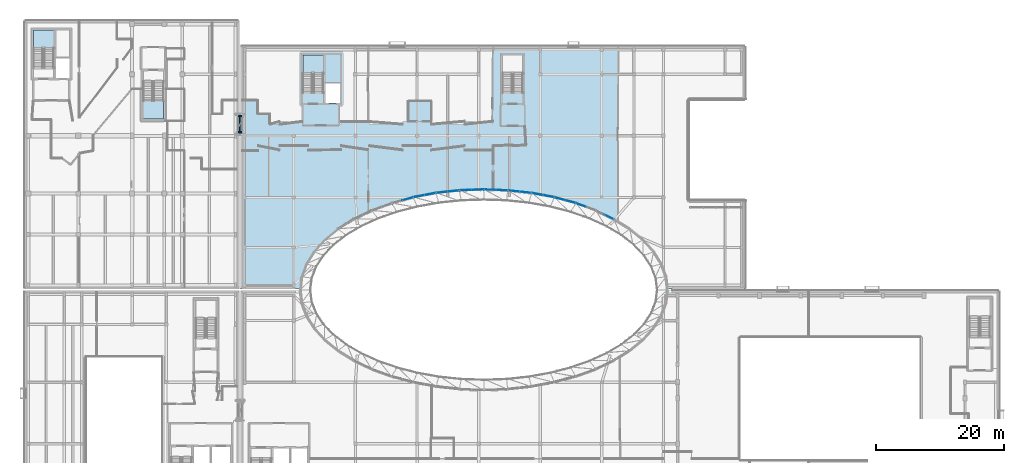
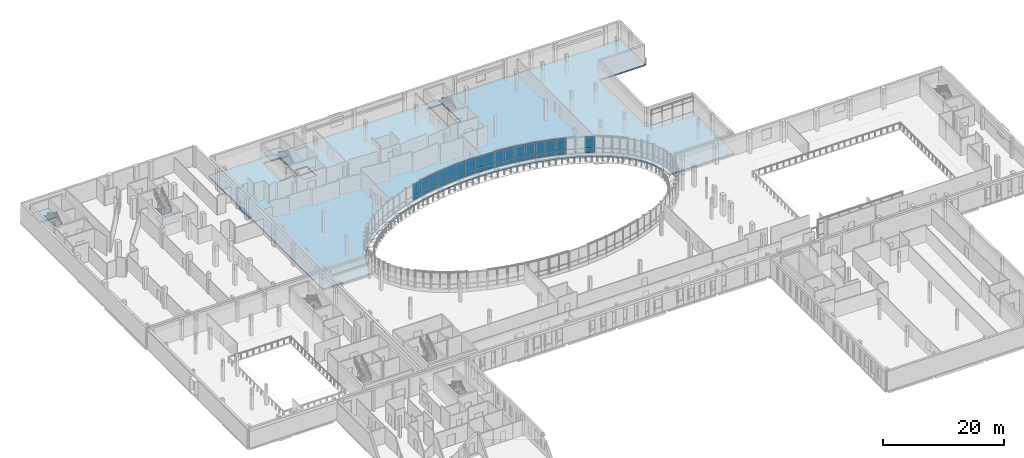
# One storey, part 35 of 84: 36 plates, 5 slabs, 13 elements without a shape of their own.
"""IFC4 building model written with IfcOpenShell, lengths in metres."""

from ifc_helpers import new_model, si_unit, direction, frame, origin, origin_2d, place, context, subcontext, project, spatial, polyline, rectangle, outline, extrude, material, layer, layer_set, type_object, element, aggregate, save


model = new_model("IFC4")

# Units and contexts
model_context = context("Model", 3, precision=1e-05, world=origin(), true_north=direction((0.0, 1.0)))
body_context = subcontext(model_context, "Body", "Model", "MODEL_VIEW")
ifc_project = project(units=[si_unit("LENGTHUNIT", "METRE"), si_unit("AREAUNIT", "SQUARE_METRE"), si_unit("VOLUMEUNIT", "CUBIC_METRE"), si_unit("PLANEANGLEUNIT", "RADIAN"), si_unit("MASSUNIT", "GRAM", prefix="KILO")], contexts=[model_context])

# Site, building, storey
site_placement = place(None, origin())
site = spatial("IfcSite", under=ifc_project, at=site_placement, CompositionType="ELEMENT")
building_placement = place(site_placement, origin())
building = spatial("IfcBuilding", under=site, at=building_placement, Name="Mzevani Central Library", CompositionType="ELEMENT")
storey_placement = place(building_placement, frame((0.0, 0.0, 5.39990234375)))
storey = spatial("IfcBuildingStorey", under=building, at=storey_placement, Name="L01", CompositionType="ELEMENT", Elevation=5.39990234375)

# Curtain wall, plate
ifc_material_1 = material(Name="Thermally broken aluminium and Low-E triple glazing", Category="aluminium")
curtain_wall_type_1 = type_object("IfcCurtainWallType", Name="Reading Hall Northlight Curtain Wall", PredefinedType="NOTDEFINED", material=ifc_material_1)
curtain_wall_1_placement = place(storey_placement, origin())
curtain_wall_1 = element("IfcCurtainWall", 1, at=curtain_wall_1_placement, inside=storey, type_object=curtain_wall_type_1, Name="L01 Elliptical Court Curtain Wall 7", PredefinedType="NOTDEFINED")
ifc_material_2 = material(Name="Thermally broken aluminium AW-6060", Category="aluminium")
ifc_layer_1 = layer(ifc_material_2, 0.0419921875, Name="CW Insulated Spandrel Panel 42")
ifc_layer_set_1 = layer_set([ifc_layer_1], Name="Thermally broken aluminium AW-6060")
plate_type_1 = type_object("IfcPlateType", Name="CW Insulated Spandrel Panel 42", PredefinedType="CURTAIN_PANEL", material=ifc_layer_set_1)
plate_1_placement = place(storey_placement, frame((103.570556640625, 87.34619140625, 0.72021484375), z_axis=(0.0, 0.0, 1.0), x_axis=(-0.902948631939, 0.429748493982, 0.0)))
plate_1 = element("IfcPlate", 2, at=plate_1_placement, type_object=plate_type_1, Name="L01 Elliptical Court Curtain Wall 7 Spandrel Panel 1", PredefinedType="CURTAIN_PANEL", context=body_context, shape_type="SweptSolid", body=[
    extrude(rectangle(XDim=1.546630859375, YDim=0.0419921875, at=origin_2d()), origin(), (0.0, 0.0, 1.0), 0.89990234375),
])

curtain_wall_type_2 = type_object("IfcCurtainWallType", Name="Elliptical Court Unitised Curtain Wall", PredefinedType="NOTDEFINED", material=ifc_material_1)
curtain_wall_2_placement = place(storey_placement, origin())
curtain_wall_2 = element("IfcCurtainWall", 3, at=curtain_wall_2_placement, inside=storey, type_object=curtain_wall_type_2, Name="L01 Elliptical Court Curtain Wall 8", PredefinedType="NOTDEFINED")
plate_2_placement = place(storey_placement, frame((99.14306640625, 89.2060546875, 0.72021484375), z_axis=(0.0, 0.0, 1.0), x_axis=(-0.940105611205, 0.340883322826, 0.0)))
plate_2 = element("IfcPlate", 4, at=plate_2_placement, type_object=plate_type_1, Name="L01 Elliptical Court Curtain Wall 8 Spandrel Panel 3", PredefinedType="CURTAIN_PANEL", context=body_context, shape_type="SweptSolid", body=[
    extrude(rectangle(XDim=1.642822265625, YDim=0.0419921875, at=origin_2d()), origin(), (0.0, 0.0, 1.0), 0.89990234375),
])

# Curtain wall, plates
curtain_wall_3_placement = place(storey_placement, origin())
curtain_wall_3 = element("IfcCurtainWall", 5, at=curtain_wall_3_placement, inside=storey, type_object=curtain_wall_type_2, Name="L01 Elliptical Court Curtain Wall 9", PredefinedType="NOTDEFINED")
plate_3_placement = place(storey_placement, frame((97.51513671875, 89.733154296875, 0.72021484375), z_axis=(0.0, 0.0, 1.0), x_axis=(-0.966009344959, 0.258507147775, 0.0)))
plate_3 = element("IfcPlate", 6, at=plate_3_placement, type_object=plate_type_1, Name="L01 Elliptical Court Curtain Wall 9 Spandrel Panel 1", PredefinedType="CURTAIN_PANEL", context=body_context, shape_type="SweptSolid", body=[
    extrude(rectangle(XDim=1.724609375, YDim=0.0419921875, at=origin_2d()), origin(), (0.0, 0.0, 1.0), 0.89990234375),
])
plate_4_placement = place(storey_placement, frame((95.84912109375, 90.178955078125, 0.72021484375), z_axis=(0.0, 0.0, 1.0), x_axis=(-0.966009344959, 0.258507147775, 0.0)))
plate_4 = element("IfcPlate", 7, at=plate_4_placement, type_object=plate_type_1, Name="L01 Elliptical Court Curtain Wall 9 Spandrel Panel 3", PredefinedType="CURTAIN_PANEL", context=body_context, shape_type="SweptSolid", body=[
    extrude(rectangle(XDim=1.724609375, YDim=0.0419921875, at=origin_2d()), origin(), (0.0, 0.0, 1.0), 0.89990234375),
])

curtain_wall_4_placement = place(storey_placement, origin())
curtain_wall_4 = element("IfcCurtainWall", 8, at=curtain_wall_4_placement, inside=storey, type_object=curtain_wall_type_1, Name="L01 Elliptical Court Curtain Wall 10", PredefinedType="NOTDEFINED")
plate_5_placement = place(storey_placement, frame((94.10546875, 90.587646484375, 0.72021484375), z_axis=(0.0, 0.0, 1.0), x_axis=(-0.983448999944, 0.181185166359, 0.0)))
plate_5 = element("IfcPlate", 9, at=plate_5_placement, type_object=plate_type_1, Name="L01 Elliptical Court Curtain Wall 10 Spandrel Panel 1", PredefinedType="CURTAIN_PANEL", context=body_context, shape_type="SweptSolid", body=[
    extrude(rectangle(XDim=1.78857421875, YDim=0.0419921875, at=origin_2d()), origin(), (0.0, 0.0, 1.0), 0.89990234375),
])
plate_6_placement = place(storey_placement, frame((92.346435546875, 90.91162109375, 0.72021484375), z_axis=(0.0, 0.0, 1.0), x_axis=(-0.983448999944, 0.181185166359, 0.0)))
plate_6 = element("IfcPlate", 10, at=plate_6_placement, type_object=plate_type_1, Name="L01 Elliptical Court Curtain Wall 10 Spandrel Panel 3", PredefinedType="CURTAIN_PANEL", context=body_context, shape_type="SweptSolid", body=[
    extrude(rectangle(XDim=1.78857421875, YDim=0.0419921875, at=origin_2d()), origin(), (0.0, 0.0, 1.0), 0.89990234375),
])

curtain_wall_5_placement = place(storey_placement, origin())
curtain_wall_5 = element("IfcCurtainWall", 11, at=curtain_wall_5_placement, inside=storey, type_object=curtain_wall_type_2, Name="L01 Elliptical Court Curtain Wall 11", PredefinedType="NOTDEFINED")
plate_7_placement = place(storey_placement, frame((90.515380859375, 91.192138671875, 0.72021484375), z_axis=(0.0, 0.0, 1.0), x_axis=(-0.99422424649, 0.107322633643, 0.0)))
plate_7 = element("IfcPlate", 12, at=plate_7_placement, type_object=plate_type_1, Name="L01 Elliptical Court Curtain Wall 11 Spandrel Panel 1", PredefinedType="CURTAIN_PANEL", context=body_context, shape_type="SweptSolid", body=[
    extrude(rectangle(XDim=1.832275390625, YDim=0.0419921875, at=origin_2d()), origin(), (0.0, 0.0, 1.0), 0.89990234375),
])
plate_8_placement = place(storey_placement, frame((88.693603515625, 91.388671875, 0.72021484375), z_axis=(0.0, 0.0, 1.0), x_axis=(-0.99422424649, 0.107322633643, 0.0)))
plate_8 = element("IfcPlate", 13, at=plate_8_placement, type_object=plate_type_1, Name="L01 Elliptical Court Curtain Wall 11 Spandrel Panel 3", PredefinedType="CURTAIN_PANEL", context=body_context, shape_type="SweptSolid", body=[
    extrude(rectangle(XDim=1.832275390625, YDim=0.0419921875, at=origin_2d()), origin(), (0.0, 0.0, 1.0), 0.89990234375),
])

curtain_wall_6_placement = place(storey_placement, origin())
curtain_wall_6 = element("IfcCurtainWall", 14, at=curtain_wall_6_placement, inside=storey, type_object=curtain_wall_type_2, Name="L01 Elliptical Court Curtain Wall 12", PredefinedType="NOTDEFINED")
plate_9_placement = place(storey_placement, frame((86.806640625, 91.53173828125, 0.72021484375), z_axis=(0.0, 0.0, 1.0), x_axis=(-0.999368515713, 0.03553265823, 0.0)))
plate_9 = element("IfcPlate", 15, at=plate_9_placement, type_object=plate_type_1, Name="L01 Elliptical Court Curtain Wall 12 Spandrel Panel 1", PredefinedType="CURTAIN_PANEL", context=body_context, shape_type="SweptSolid", body=[
    extrude(rectangle(XDim=1.8544921875, YDim=0.0419921875, at=origin_2d()), origin(), (0.0, 0.0, 1.0), 0.89990234375),
])
plate_10_placement = place(storey_placement, frame((84.953125, 91.59765625, 0.72021484375), z_axis=(0.0, 0.0, 1.0), x_axis=(-0.999368515713, 0.03553265823, 0.0)))
plate_10 = element("IfcPlate", 16, at=plate_10_placement, type_object=plate_type_1, Name="L01 Elliptical Court Curtain Wall 12 Spandrel Panel 3", PredefinedType="CURTAIN_PANEL", context=body_context, shape_type="SweptSolid", body=[
    extrude(rectangle(XDim=1.8544921875, YDim=0.0419921875, at=origin_2d()), origin(), (0.0, 0.0, 1.0), 0.89990234375),
])

curtain_wall_7_placement = place(storey_placement, origin())
curtain_wall_7 = element("IfcCurtainWall", 17, at=curtain_wall_7_placement, inside=storey, type_object=curtain_wall_type_1, Name="L01 Elliptical Court Curtain Wall 13", PredefinedType="NOTDEFINED")
plate_11_placement = place(storey_placement, frame((83.046875, 91.59765625, 0.72021484375), z_axis=(0.0, 0.0, 1.0), x_axis=(-0.999368515713, -0.03553265823, 0.0)))
plate_11 = element("IfcPlate", 18, at=plate_11_placement, type_object=plate_type_1, Name="L01 Elliptical Court Curtain Wall 13 Spandrel Panel 1", PredefinedType="CURTAIN_PANEL", context=body_context, shape_type="SweptSolid", body=[
    extrude(rectangle(XDim=1.8544921875, YDim=0.0419921875, at=origin_2d()), origin(), (0.0, 0.0, 1.0), 0.89990234375),
])
plate_12_placement = place(storey_placement, frame((81.193359375, 91.53173828125, 0.72021484375), z_axis=(0.0, 0.0, 1.0), x_axis=(-0.999368515713, -0.03553265823, 0.0)))
plate_12 = element("IfcPlate", 19, at=plate_12_placement, type_object=plate_type_1, Name="L01 Elliptical Court Curtain Wall 13 Spandrel Panel 3", PredefinedType="CURTAIN_PANEL", context=body_context, shape_type="SweptSolid", body=[
    extrude(rectangle(XDim=1.8544921875, YDim=0.0419921875, at=origin_2d()), origin(), (0.0, 0.0, 1.0), 0.89990234375),
])

curtain_wall_8_placement = place(storey_placement, origin())
curtain_wall_8 = element("IfcCurtainWall", 20, at=curtain_wall_8_placement, inside=storey, type_object=curtain_wall_type_2, Name="L01 Elliptical Court Curtain Wall 14", PredefinedType="NOTDEFINED")
plate_13_placement = place(storey_placement, frame((79.306396484375, 91.388671875, 0.72021484375), z_axis=(0.0, 0.0, 1.0), x_axis=(-0.99422424649, -0.107322633643, 0.0)))
plate_13 = element("IfcPlate", 21, at=plate_13_placement, type_object=plate_type_1, Name="L01 Elliptical Court Curtain Wall 14 Spandrel Panel 1", PredefinedType="CURTAIN_PANEL", context=body_context, shape_type="SweptSolid", body=[
    extrude(rectangle(XDim=1.832275390625, YDim=0.0419921875, at=origin_2d()), origin(), (0.0, 0.0, 1.0), 0.89990234375),
])
plate_14_placement = place(storey_placement, frame((77.484619140625, 91.192138671875, 0.72021484375), z_axis=(0.0, 0.0, 1.0), x_axis=(-0.99422424649, -0.107322633643, 0.0)))
plate_14 = element("IfcPlate", 22, at=plate_14_placement, type_object=plate_type_1, Name="L01 Elliptical Court Curtain Wall 14 Spandrel Panel 3", PredefinedType="CURTAIN_PANEL", context=body_context, shape_type="SweptSolid", body=[
    extrude(rectangle(XDim=1.832275390625, YDim=0.0419921875, at=origin_2d()), origin(), (0.0, 0.0, 1.0), 0.89990234375),
])

curtain_wall_9_placement = place(storey_placement, origin())
curtain_wall_9 = element("IfcCurtainWall", 23, at=curtain_wall_9_placement, inside=storey, type_object=curtain_wall_type_2, Name="L01 Elliptical Court Curtain Wall 15", PredefinedType="NOTDEFINED")
plate_15_placement = place(storey_placement, frame((75.653564453125, 90.91162109375, 0.72021484375), z_axis=(0.0, 0.0, 1.0), x_axis=(-0.983448999944, -0.181185166359, 0.0)))
plate_15 = element("IfcPlate", 24, at=plate_15_placement, type_object=plate_type_1, Name="L01 Elliptical Court Curtain Wall 15 Spandrel Panel 1", PredefinedType="CURTAIN_PANEL", context=body_context, shape_type="SweptSolid", body=[
    extrude(rectangle(XDim=1.78857421875, YDim=0.0419921875, at=origin_2d()), origin(), (0.0, 0.0, 1.0), 0.89990234375),
])
plate_16_placement = place(storey_placement, frame((73.89453125, 90.587646484375, 0.72021484375), z_axis=(0.0, 0.0, 1.0), x_axis=(-0.983448999944, -0.181185166359, 0.0)))
plate_16 = element("IfcPlate", 25, at=plate_16_placement, type_object=plate_type_1, Name="L01 Elliptical Court Curtain Wall 15 Spandrel Panel 3", PredefinedType="CURTAIN_PANEL", context=body_context, shape_type="SweptSolid", body=[
    extrude(rectangle(XDim=1.78857421875, YDim=0.0419921875, at=origin_2d()), origin(), (0.0, 0.0, 1.0), 0.89990234375),
])

# Curtain wall, plate
curtain_wall_10_placement = place(storey_placement, origin())
curtain_wall_10 = element("IfcCurtainWall", 26, at=curtain_wall_10_placement, inside=storey, type_object=curtain_wall_type_1, Name="L01 Elliptical Court Curtain Wall 16", PredefinedType="NOTDEFINED")
plate_17_placement = place(storey_placement, frame((72.15087890625, 90.178955078125, 0.72021484375), z_axis=(0.0, 0.0, 1.0), x_axis=(-0.966009344959, -0.258507147775, 0.0)))
plate_17 = element("IfcPlate", 27, at=plate_17_placement, type_object=plate_type_1, Name="L01 Elliptical Court Curtain Wall 16 Spandrel Panel 1", PredefinedType="CURTAIN_PANEL", context=body_context, shape_type="SweptSolid", body=[
    extrude(rectangle(XDim=1.724609375, YDim=0.0419921875, at=origin_2d()), origin(), (0.0, 0.0, 1.0), 0.89990234375),
])

# Plate
ifc_material_3 = material(Name="Low-E triple glazing glass", Category="glass")
ifc_layer_2 = layer(ifc_material_3, 0.028076171875, Name="CW Triple Glazed Vision Panel 28")
ifc_layer_set_2 = layer_set([ifc_layer_2], Name="Low-E triple glazing glass")
plate_type_2 = type_object("IfcPlateType", Name="CW Triple Glazed Vision Panel 28", PredefinedType="CURTAIN_PANEL", material=ifc_layer_set_2)
plate_18_placement = place(storey_placement, frame((103.570556640625, 87.34619140625, 1.6201171875), z_axis=(0.0, 0.0, 1.0), x_axis=(-0.902948631939, 0.429748493982, 0.0)))
plate_18 = element("IfcPlate", 28, at=plate_18_placement, type_object=plate_type_2, Name="L01 Elliptical Court Curtain Wall 7 Vision Panel 2", PredefinedType="CURTAIN_PANEL", context=body_context, shape_type="SweptSolid", body=[
    extrude(rectangle(XDim=1.546630859375, YDim=0.028076171875, at=origin_2d()), origin(), (0.0, 0.0, 1.0), 2.300048828125),
])

aggregate(curtain_wall_1, [plate_1, plate_18])

plate_19_placement = place(storey_placement, frame((99.14306640625, 89.2060546875, 1.6201171875), z_axis=(0.0, 0.0, 1.0), x_axis=(-0.940105611205, 0.340883322826, 0.0)))
plate_19 = element("IfcPlate", 29, at=plate_19_placement, type_object=plate_type_2, Name="L01 Elliptical Court Curtain Wall 8 Vision Panel 4", PredefinedType="CURTAIN_PANEL", context=body_context, shape_type="SweptSolid", body=[
    extrude(rectangle(XDim=1.642822265625, YDim=0.028076171875, at=origin_2d()), origin(), (0.0, 0.0, 1.0), 2.300048828125),
])

aggregate(curtain_wall_2, [plate_2, plate_19])

plate_20_placement = place(storey_placement, frame((97.51513671875, 89.733154296875, 1.6201171875), z_axis=(0.0, 0.0, 1.0), x_axis=(-0.966009344959, 0.258507147775, 0.0)))
plate_20 = element("IfcPlate", 30, at=plate_20_placement, type_object=plate_type_2, Name="L01 Elliptical Court Curtain Wall 9 Vision Panel 2", PredefinedType="CURTAIN_PANEL", context=body_context, shape_type="SweptSolid", body=[
    extrude(rectangle(XDim=1.724609375, YDim=0.028076171875, at=origin_2d()), origin(), (0.0, 0.0, 1.0), 2.300048828125),
])

plate_21_placement = place(storey_placement, frame((95.84912109375, 90.178955078125, 1.6201171875), z_axis=(0.0, 0.0, 1.0), x_axis=(-0.966009344959, 0.258507147775, 0.0)))
plate_21 = element("IfcPlate", 31, at=plate_21_placement, type_object=plate_type_2, Name="L01 Elliptical Court Curtain Wall 9 Vision Panel 4", PredefinedType="CURTAIN_PANEL", context=body_context, shape_type="SweptSolid", body=[
    extrude(rectangle(XDim=1.724609375, YDim=0.028076171875, at=origin_2d()), origin(), (0.0, 0.0, 1.0), 2.300048828125),
])

aggregate(curtain_wall_3, [plate_3, plate_20, plate_4, plate_21])

plate_22_placement = place(storey_placement, frame((94.10546875, 90.587646484375, 1.6201171875), z_axis=(0.0, 0.0, 1.0), x_axis=(-0.983448999944, 0.181185166359, 0.0)))
plate_22 = element("IfcPlate", 32, at=plate_22_placement, type_object=plate_type_2, Name="L01 Elliptical Court Curtain Wall 10 Vision Panel 2", PredefinedType="CURTAIN_PANEL", context=body_context, shape_type="SweptSolid", body=[
    extrude(rectangle(XDim=1.78857421875, YDim=0.028076171875, at=origin_2d()), origin(), (0.0, 0.0, 1.0), 2.300048828125),
])

plate_23_placement = place(storey_placement, frame((92.346435546875, 90.91162109375, 1.6201171875), z_axis=(0.0, 0.0, 1.0), x_axis=(-0.983448999944, 0.181185166359, 0.0)))
plate_23 = element("IfcPlate", 33, at=plate_23_placement, type_object=plate_type_2, Name="L01 Elliptical Court Curtain Wall 10 Vision Panel 4", PredefinedType="CURTAIN_PANEL", context=body_context, shape_type="SweptSolid", body=[
    extrude(rectangle(XDim=1.78857421875, YDim=0.028076171875, at=origin_2d()), origin(), (0.0, 0.0, 1.0), 2.300048828125),
])

aggregate(curtain_wall_4, [plate_5, plate_22, plate_6, plate_23])

plate_24_placement = place(storey_placement, frame((90.515380859375, 91.192138671875, 1.6201171875), z_axis=(0.0, 0.0, 1.0), x_axis=(-0.99422424649, 0.107322633643, 0.0)))
plate_24 = element("IfcPlate", 34, at=plate_24_placement, type_object=plate_type_2, Name="L01 Elliptical Court Curtain Wall 11 Vision Panel 2", PredefinedType="CURTAIN_PANEL", context=body_context, shape_type="SweptSolid", body=[
    extrude(rectangle(XDim=1.832275390625, YDim=0.028076171875, at=origin_2d()), origin(), (0.0, 0.0, 1.0), 2.300048828125),
])

plate_25_placement = place(storey_placement, frame((88.693603515625, 91.388671875, 1.6201171875), z_axis=(0.0, 0.0, 1.0), x_axis=(-0.99422424649, 0.107322633643, 0.0)))
plate_25 = element("IfcPlate", 35, at=plate_25_placement, type_object=plate_type_2, Name="L01 Elliptical Court Curtain Wall 11 Vision Panel 4", PredefinedType="CURTAIN_PANEL", context=body_context, shape_type="SweptSolid", body=[
    extrude(rectangle(XDim=1.832275390625, YDim=0.028076171875, at=origin_2d()), origin(), (0.0, 0.0, 1.0), 2.300048828125),
])

aggregate(curtain_wall_5, [plate_7, plate_24, plate_8, plate_25])

plate_26_placement = place(storey_placement, frame((86.806640625, 91.53173828125, 1.6201171875), z_axis=(0.0, 0.0, 1.0), x_axis=(-0.999368515713, 0.03553265823, 0.0)))
plate_26 = element("IfcPlate", 36, at=plate_26_placement, type_object=plate_type_2, Name="L01 Elliptical Court Curtain Wall 12 Vision Panel 2", PredefinedType="CURTAIN_PANEL", context=body_context, shape_type="SweptSolid", body=[
    extrude(rectangle(XDim=1.8544921875, YDim=0.028076171875, at=origin_2d()), origin(), (0.0, 0.0, 1.0), 2.300048828125),
])

plate_27_placement = place(storey_placement, frame((84.953125, 91.59765625, 1.6201171875), z_axis=(0.0, 0.0, 1.0), x_axis=(-0.999368515713, 0.03553265823, 0.0)))
plate_27 = element("IfcPlate", 37, at=plate_27_placement, type_object=plate_type_2, Name="L01 Elliptical Court Curtain Wall 12 Vision Panel 4", PredefinedType="CURTAIN_PANEL", context=body_context, shape_type="SweptSolid", body=[
    extrude(rectangle(XDim=1.8544921875, YDim=0.028076171875, at=origin_2d()), origin(), (0.0, 0.0, 1.0), 2.300048828125),
])

aggregate(curtain_wall_6, [plate_9, plate_26, plate_10, plate_27])

plate_28_placement = place(storey_placement, frame((83.046875, 91.59765625, 1.6201171875), z_axis=(0.0, 0.0, 1.0), x_axis=(-0.999368515713, -0.03553265823, 0.0)))
plate_28 = element("IfcPlate", 38, at=plate_28_placement, type_object=plate_type_2, Name="L01 Elliptical Court Curtain Wall 13 Vision Panel 2", PredefinedType="CURTAIN_PANEL", context=body_context, shape_type="SweptSolid", body=[
    extrude(rectangle(XDim=1.8544921875, YDim=0.028076171875, at=origin_2d()), origin(), (0.0, 0.0, 1.0), 2.300048828125),
])

plate_29_placement = place(storey_placement, frame((81.193359375, 91.53173828125, 1.6201171875), z_axis=(0.0, 0.0, 1.0), x_axis=(-0.999368515713, -0.03553265823, 0.0)))
plate_29 = element("IfcPlate", 39, at=plate_29_placement, type_object=plate_type_2, Name="L01 Elliptical Court Curtain Wall 13 Vision Panel 4", PredefinedType="CURTAIN_PANEL", context=body_context, shape_type="SweptSolid", body=[
    extrude(rectangle(XDim=1.8544921875, YDim=0.028076171875, at=origin_2d()), origin(), (0.0, 0.0, 1.0), 2.300048828125),
])

aggregate(curtain_wall_7, [plate_11, plate_28, plate_12, plate_29])

plate_30_placement = place(storey_placement, frame((79.306396484375, 91.388671875, 1.6201171875), z_axis=(0.0, 0.0, 1.0), x_axis=(-0.99422424649, -0.107322633643, 0.0)))
plate_30 = element("IfcPlate", 40, at=plate_30_placement, type_object=plate_type_2, Name="L01 Elliptical Court Curtain Wall 14 Vision Panel 2", PredefinedType="CURTAIN_PANEL", context=body_context, shape_type="SweptSolid", body=[
    extrude(rectangle(XDim=1.832275390625, YDim=0.028076171875, at=origin_2d()), origin(), (0.0, 0.0, 1.0), 2.300048828125),
])

plate_31_placement = place(storey_placement, frame((77.484619140625, 91.192138671875, 1.6201171875), z_axis=(0.0, 0.0, 1.0), x_axis=(-0.99422424649, -0.107322633643, 0.0)))
plate_31 = element("IfcPlate", 41, at=plate_31_placement, type_object=plate_type_2, Name="L01 Elliptical Court Curtain Wall 14 Vision Panel 4", PredefinedType="CURTAIN_PANEL", context=body_context, shape_type="SweptSolid", body=[
    extrude(rectangle(XDim=1.832275390625, YDim=0.028076171875, at=origin_2d()), origin(), (0.0, 0.0, 1.0), 2.300048828125),
])

aggregate(curtain_wall_8, [plate_13, plate_30, plate_14, plate_31])

plate_32_placement = place(storey_placement, frame((75.653564453125, 90.91162109375, 1.6201171875), z_axis=(0.0, 0.0, 1.0), x_axis=(-0.983448999944, -0.181185166359, 0.0)))
plate_32 = element("IfcPlate", 42, at=plate_32_placement, type_object=plate_type_2, Name="L01 Elliptical Court Curtain Wall 15 Vision Panel 2", PredefinedType="CURTAIN_PANEL", context=body_context, shape_type="SweptSolid", body=[
    extrude(rectangle(XDim=1.78857421875, YDim=0.028076171875, at=origin_2d()), origin(), (0.0, 0.0, 1.0), 2.300048828125),
])

plate_33_placement = place(storey_placement, frame((73.89453125, 90.587646484375, 1.6201171875), z_axis=(0.0, 0.0, 1.0), x_axis=(-0.983448999944, -0.181185166359, 0.0)))
plate_33 = element("IfcPlate", 43, at=plate_33_placement, type_object=plate_type_2, Name="L01 Elliptical Court Curtain Wall 15 Vision Panel 4", PredefinedType="CURTAIN_PANEL", context=body_context, shape_type="SweptSolid", body=[
    extrude(rectangle(XDim=1.78857421875, YDim=0.028076171875, at=origin_2d()), origin(), (0.0, 0.0, 1.0), 2.300048828125),
])

aggregate(curtain_wall_9, [plate_15, plate_32, plate_16, plate_33])

plate_34_placement = place(storey_placement, frame((72.15087890625, 90.178955078125, 1.6201171875), z_axis=(0.0, 0.0, 1.0), x_axis=(-0.966009344959, -0.258507147775, 0.0)))
plate_34 = element("IfcPlate", 44, at=plate_34_placement, type_object=plate_type_2, Name="L01 Elliptical Court Curtain Wall 16 Vision Panel 2", PredefinedType="CURTAIN_PANEL", context=body_context, shape_type="SweptSolid", body=[
    extrude(rectangle(XDim=1.724609375, YDim=0.028076171875, at=origin_2d()), origin(), (0.0, 0.0, 1.0), 2.300048828125),
])

aggregate(curtain_wall_10, [plate_17, plate_34])

# Slabs
ifc_material_4 = material(Name="Concrete C35/45", Category="concrete")
ifc_layer_3 = layer(ifc_material_4, 0.280029296875, Name="Open Stack Floor Slab 280")
ifc_layer_set_3 = layer_set([ifc_layer_3], Name="Concrete C35/45")
slab_type_1 = type_object("IfcSlabType", Name="Open Stack Floor Slab 280", PredefinedType="FLOOR", material=ifc_layer_set_3)
slab_1_placement = place(storey_placement, frame((0.0, 0.0, -0.27978515625)))
element("IfcSlab", 45, at=slab_1_placement, inside=storey, type_object=slab_type_1, Name="L01 V3 Structural Slab FS-03", PredefinedType="FLOOR", context=body_context, shape_type="SweptSolid", body=[
    extrude(outline(polyline([(46.10009765625, 114.0), (124.800048828125, 114.0), (124.800048828125, 105.60009765625), (116.0, 105.60009765625), (116.0, 90.0), (124.800048828125, 90.0), (124.800048828125, 76.10009765625), (112.387939453125, 76.10009765625), (112.156982421875, 78.01171875), (111.432373046875, 79.989013671875), (110.23828125, 81.89794921875), (108.59521484375, 83.706298828125), (106.53125, 85.38232421875), (104.081787109375, 86.898193359375), (101.288818359375, 88.227294921875), (98.199951171875, 89.347412109375), (94.8681640625, 90.239013671875), (91.3505859375, 90.88720703125), (87.706787109375, 91.280517578125), (84.0, 91.412353515625), (80.293212890625, 91.280517578125), (76.6494140625, 90.88720703125), (73.1318359375, 90.239013671875), (69.800048828125, 89.347412109375), (66.711181640625, 88.227294921875), (63.918212890625, 86.898193359375), (61.46875, 85.38232421875), (59.40478515625, 83.706298828125), (57.76171875, 81.89794921875), (56.567626953125, 79.989013671875), (55.843017578125, 78.01171875), (55.612060546875, 76.10009765625), (46.10009765625, 76.10009765625), (46.10009765625, 114.0)]), holes=[polyline([(59.0, 106.699951171875), (59.0, 112.60009765625), (55.800048828125, 112.60009765625), (55.800048828125, 106.699951171875), (59.0, 106.699951171875)]), polyline([(59.300048828125, 105.10009765625), (61.60009765625, 105.10009765625), (61.60009765625, 108.199951171875), (59.300048828125, 108.199951171875), (59.300048828125, 105.10009765625)]), polyline([(90.10009765625, 106.699951171875), (90.10009765625, 112.60009765625), (86.89990234375, 112.60009765625), (86.89990234375, 106.699951171875), (90.10009765625, 106.699951171875)])]), origin(), (0.0, 0.0, 1.0), 0.27978515625),
])
ifc_layer_4 = layer(ifc_material_4, 0.239990234375, Name="Seismic Link Bridge Deck 240")
ifc_layer_set_4 = layer_set([ifc_layer_4], Name="Concrete C35/45")
slab_type_2 = type_object("IfcSlabType", Name="Seismic Link Bridge Deck 240", PredefinedType="FLOOR", material=ifc_layer_set_4)
slab_2_placement = place(storey_placement, frame((0.0, 0.0, -0.239990234375)))
element("IfcSlab", 46, at=slab_2_placement, inside=storey, type_object=slab_type_2, Name="L01 Stacks-Court Seismic Passage L01 Deck", PredefinedType="FLOOR", context=body_context, shape_type="SweptSolid", body=[
    extrude(outline(polyline([(45.89990234375, 100.0), (46.10009765625, 100.0), (46.10009765625, 103.60009765625), (45.89990234375, 103.60009765625), (45.89990234375, 100.0)])), origin(), (0.0, 0.0, 1.0), 0.239990234375),
])

# Stair, slab
stair_type = type_object("IfcStairType", Name="Dogleg Exit Stair 175x280", PredefinedType="HALF_TURN_STAIR", material=ifc_material_4)
stair_1_placement = place(storey_placement, origin())
stair_1 = element("IfcStair", 47, at=stair_1_placement, inside=storey, type_object=stair_type, Name="L01 Core C2A North-West Firefighting Core Exit Stair ST-02", PredefinedType="HALF_TURN_STAIR")
ifc_layer_5 = layer(ifc_material_4, 0.199951171875, Name="Stair Landing Slab 200")
ifc_layer_set_5 = layer_set([ifc_layer_5], Name="Concrete C35/45")
slab_type_3 = type_object("IfcSlabType", Name="Stair Landing Slab 200", PredefinedType="LANDING", material=ifc_layer_set_5)
slab_3_placement = place(storey_placement, frame((0.0, 0.0, 1.900146484375)))
slab_3 = element("IfcSlab", 48, at=slab_3_placement, type_object=slab_type_3, Name="ST-03 landing 1", PredefinedType="LANDING", context=body_context, shape_type="SweptSolid", body=[
    extrude(outline(polyline([(17.0, 113.679931640625), (17.0, 116.5), (13.800048828125, 116.5), (13.800048828125, 113.679931640625), (17.0, 113.679931640625)])), origin(), (0.0, 0.0, 1.0), 0.199951171875),
])
aggregate(stair_1, [slab_3])

stair_2_placement = place(storey_placement, origin())
stair_2 = element("IfcStair", 49, at=stair_2_placement, inside=storey, type_object=stair_type, Name="L01 Core C2B Stacks East Escape Stair Exit Stair ST-02", PredefinedType="HALF_TURN_STAIR")
slab_4_placement = place(storey_placement, frame((0.0, 0.0, 1.900146484375)))
slab_4 = element("IfcSlab", 50, at=slab_4_placement, type_object=slab_type_3, Name="ST-04 landing 1", PredefinedType="LANDING", context=body_context, shape_type="SweptSolid", body=[
    extrude(outline(polyline([(30.89990234375, 105.419921875), (30.89990234375, 102.60009765625), (34.10009765625, 102.60009765625), (34.10009765625, 105.419921875), (30.89990234375, 105.419921875)])), origin(), (0.0, 0.0, 1.0), 0.199951171875),
])
aggregate(stair_2, [slab_4])

stair_3_placement = place(storey_placement, origin())
stair_3 = element("IfcStair", 51, at=stair_3_placement, inside=storey, type_object=stair_type, Name="L01 Core C3A North-East Firefighting Core Exit Stair ST-02", PredefinedType="HALF_TURN_STAIR")
slab_5_placement = place(storey_placement, frame((0.0, 0.0, 1.900146484375)))
slab_5 = element("IfcSlab", 52, at=slab_5_placement, type_object=slab_type_3, Name="ST-05 landing 1", PredefinedType="LANDING", context=body_context, shape_type="SweptSolid", body=[
    extrude(outline(polyline([(59.0, 109.780029296875), (59.0, 112.60009765625), (55.800048828125, 112.60009765625), (55.800048828125, 109.780029296875), (59.0, 109.780029296875)])), origin(), (0.0, 0.0, 1.0), 0.199951171875),
])
aggregate(stair_3, [slab_5])

# Plates
ifc_material_5 = material(Name="Steel S355J2", Category="steel")
ifc_layer_6 = layer(ifc_material_5, 0.035888671875, Name="Truss Splice Flange Plate 36")
ifc_layer_set_6 = layer_set([ifc_layer_6], Name="Steel S355J2")
plate_type_3 = type_object("IfcPlateType", Name="Truss Splice Flange Plate 36", PredefinedType="USERDEFINED", material=ifc_layer_set_6)
for number, where, z_axis, x_axis, name in (
    (53, (45.89990234375, 101.800048828125, -0.03564453125), (0.0, 0.0, 1.0), (1.0, 0.0, 0.0), "L01 Stacks-Court Seismic Passage L01 Walkable Seismic Threshold Cover Plate 1"),
    (54, (46.10009765625, 101.800048828125, -0.03564453125), (0.0, 0.0, 1.0), (1.0, 0.0, 0.0), "L01 Stacks-Court Seismic Passage L01 Walkable Seismic Threshold Cover Plate 2"),
):
    element("IfcPlate", number, at=place(storey_placement, frame(where, z_axis=z_axis, x_axis=x_axis)), inside=storey, type_object=plate_type_3, Name=name, ObjectType="SPLICE PLATE", PredefinedType="USERDEFINED", context=body_context, shape_type="SweptSolid", body=[
        extrude(rectangle(XDim=0.419921875, YDim=3.199951171875, at=origin_2d()), origin(), (0.0, 0.0, 1.0), 0.035888671875),
    ])

save(model, "model.ifc")
